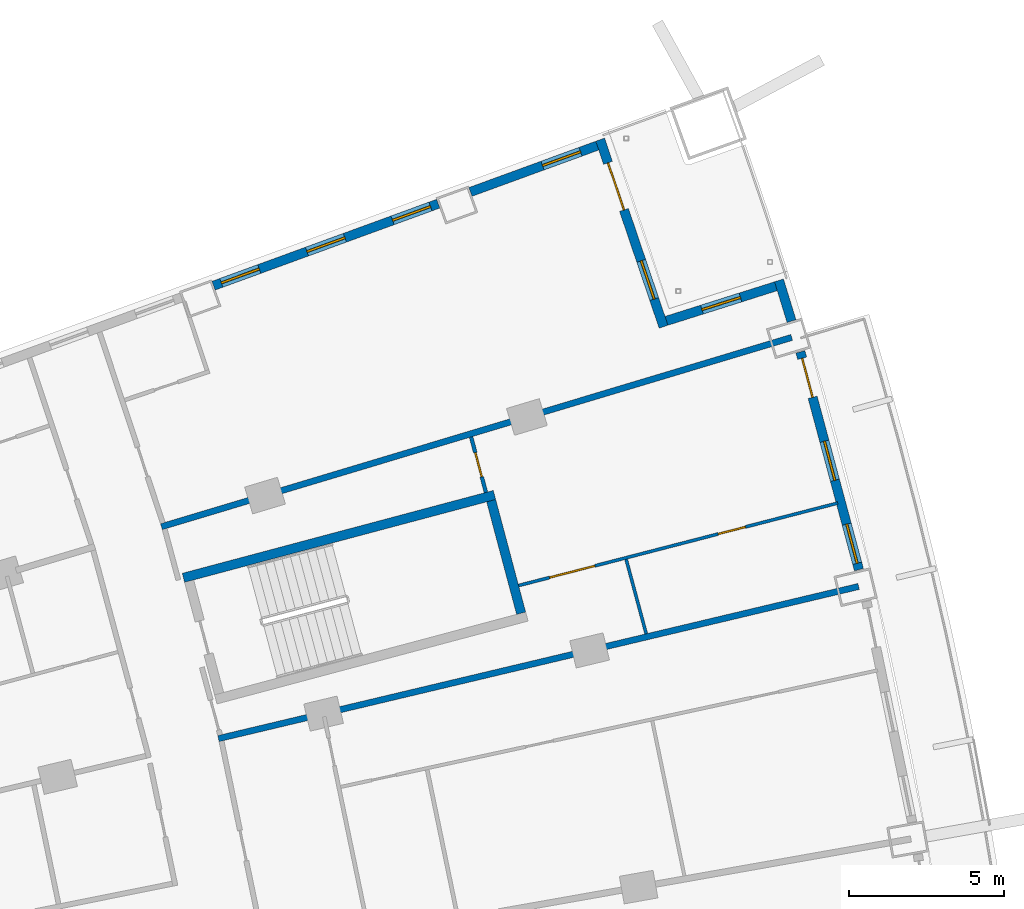
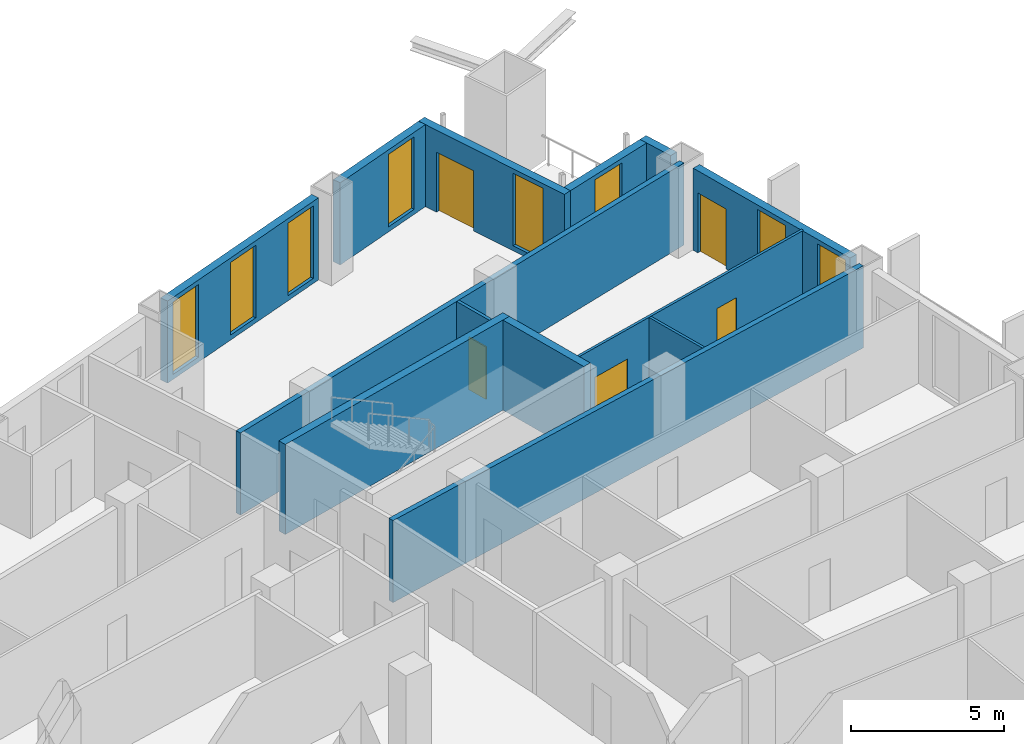
# One storey, part 19 of 23: 13 walls, 8 windows, 5 doors, 13 openings.
"""IFC4 building model written with IfcOpenShell, lengths in metres."""

import ifcopenshell
import ifcopenshell.guid

model = None  # the IFC model being written
_history = None  # IfcOwnerHistory: only IFC2X3 demands one
_inside = {}  # id of a spatial element -> (the spatial element, [elements in it])
_under = {}  # id of a project, library or spatial element -> (it, [spatial elements below it])
_declared = {}  # id of a project -> (the project, [libraries it declares])
_typed = {}  # id of a type object -> (the type object, [elements of that type])
_made_of = {}  # id of a material, layer set ... -> (it, [elements and type objects made of it])


def new_model(schema):
    """Start an empty IFC model of exactly this schema.

    Asked for "IFC4X3", IfcOpenShell would pick the latest addendum, in which some entities
    have other attributes; the version numbers below select the first issue.
    IFC2X3 requires an IfcOwnerHistory on every rooted entity: one is made here for all.
    """
    global model, _history
    if schema == "IFC4X3":
        model = ifcopenshell.file(schema_version=(4, 3, 0, 0))
    else:
        model = ifcopenshell.file(schema=schema)
    _inside.clear()
    _under.clear()
    _declared.clear()
    _typed.clear()
    _made_of.clear()
    _history = None
    if model.schema == "IFC2X3":
        org = make("IfcOrganization", Name="unknown")
        user = make(
            "IfcPersonAndOrganization",
            ThePerson=make("IfcPerson", FamilyName="unknown"),
            TheOrganization=org,
        )
        app = make(
            "IfcApplication",
            ApplicationDeveloper=org,
            Version="unknown",
            ApplicationFullName="unknown",
            ApplicationIdentifier="unknown",
        )
        _history = make(
            "IfcOwnerHistory",
            OwningUser=user,
            OwningApplication=app,
            ChangeAction="ADDED",
            CreationDate=0,
        )
    return model


def make(cls, **values):
    """One entity of the class cls with the attributes given. An attribute that is None is left unset."""
    return model.create_entity(
        cls, **{name: value for name, value in values.items() if value is not None}
    )


def rooted(cls, **values):
    """An entity with a GlobalId (a new one), such as an element, a storey or a relation."""
    return make(cls, GlobalId=ifcopenshell.guid.new(), OwnerHistory=_history, **values)


def si_unit(unit_type, name, prefix=None):
    """IfcSIUnit, for example si_unit("LENGTHUNIT", "METRE", prefix="MILLI")."""
    return make("IfcSIUnit", UnitType=unit_type, Prefix=prefix, Name=name)


def assignment(units):
    """IfcUnitAssignment: the units of a project."""
    return None if units is None else make("IfcUnitAssignment", Units=units)


def point(xyz):
    """IfcCartesianPoint."""
    return None if xyz is None else make("IfcCartesianPoint", Coordinates=xyz)


def direction(xyz):
    """IfcDirection."""
    return None if xyz is None else make("IfcDirection", DirectionRatios=xyz)


def frame(location, z_axis=None, x_axis=None):
    """IfcAxis2Placement3D, a coordinate frame: its origin and axes. An axis left out is left unset."""
    return make(
        "IfcAxis2Placement3D",
        Location=point(location),
        Axis=direction(z_axis),
        RefDirection=direction(x_axis),
    )


def frame_2d(location, x_axis=None):
    """IfcAxis2Placement2D, a coordinate frame in the plane: its origin and x axis."""
    return make(
        "IfcAxis2Placement2D", Location=point(location), RefDirection=direction(x_axis)
    )


def origin():
    """The frame at (0, 0, 0) with its axes left unset."""
    return frame((0.0, 0.0, 0.0))


def place(relative_to, where):
    """IfcLocalPlacement: puts the frame where relative to a parent placement (None: the world)."""
    return make(
        "IfcLocalPlacement", PlacementRelTo=relative_to, RelativePlacement=where
    )


def context(
    kind, dimensions, precision=None, world=None, true_north=None, identifier=None
):
    """IfcGeometricRepresentationContext, for example the 3D "Model" context."""
    return make(
        "IfcGeometricRepresentationContext",
        ContextIdentifier=identifier,
        ContextType=kind,
        CoordinateSpaceDimension=dimensions,
        Precision=precision,
        WorldCoordinateSystem=world,
        TrueNorth=true_north,
    )


def subcontext(parent, identifier, kind, view, scale=None):
    """IfcGeometricRepresentationSubContext, for example "Body" below "Model"."""
    return make(
        "IfcGeometricRepresentationSubContext",
        ContextIdentifier=identifier,
        ContextType=kind,
        ParentContext=parent,
        TargetScale=scale,
        TargetView=view,
    )


def project(units=None, contexts=None):
    """IfcProject with its units and contexts."""
    return rooted(
        "IfcProject",
        Name="project",
        RepresentationContexts=contexts,
        UnitsInContext=assignment(units),
    )


def spatial(cls, under=None, at=None, **own):
    """A site, building, storey or space (cls), placed at a placement, below another one or the project."""
    s = rooted(cls, ObjectPlacement=at, **own)
    if under is not None:
        _under.setdefault(under.id(), (under, []))[1].append(s)
    return s


def profile(cls, at=None, kind="AREA", **sizes):
    """A parametric profile (cls). Its sizes go by their IFC names, for example OverallWidth=200.0."""
    return make(cls, ProfileType=kind, Position=at, **sizes)


def rectangle(**sizes):
    """IfcRectangleProfileDef."""
    return profile("IfcRectangleProfileDef", **sizes)


def extrude(swept, where, along, depth):
    """IfcExtrudedAreaSolid: the profile swept, set in the frame where, extruded along a direction by depth."""
    return make(
        "IfcExtrudedAreaSolid",
        SweptArea=swept,
        Position=where,
        ExtrudedDirection=direction(along),
        Depth=depth,
    )


def shape(context_of_items, identifier, shape_type, items):
    """IfcShapeRepresentation: the items that make up one representation, for example the "Body"."""
    return make(
        "IfcShapeRepresentation",
        ContextOfItems=context_of_items,
        RepresentationIdentifier=identifier,
        RepresentationType=shape_type,
        Items=items,
    )


def material(Name=None, Category=None):
    """IfcMaterial."""
    return make("IfcMaterial", Name=Name, Category=Category)


def layer(
    of_material, thickness, ventilated=None, Name=None, Category=None, Priority=None
):
    """IfcMaterialLayer: one layer of a wall or slab, of a material (None: an air gap)."""
    return make(
        "IfcMaterialLayer",
        Material=of_material,
        LayerThickness=thickness,
        IsVentilated=ventilated,
        Name=Name,
        Category=Category,
        Priority=Priority,
    )


def layer_set(layers, Name=None):
    """IfcMaterialLayerSet."""
    return make("IfcMaterialLayerSet", MaterialLayers=layers, LayerSetName=Name)


def made_of(thing, what):
    """Note that an element or type object is made of a material, layer set ...; save() writes the relation."""
    if what is not None:
        _made_of.setdefault(what.id(), (what, []))[1].append(thing)
    return thing


def type_object(cls, material=None, **own):
    """A type object (cls), such as IfcWallType, which elements share."""
    return made_of(rooted(cls, **own), material)


def element(
    cls,
    number,
    at=None,
    inside=None,
    cuts=None,
    type_object=None,
    material=None,
    context=None,
    identifier="Body",
    shape_type=None,
    held_by="IfcProductDefinitionShape",
    body=None,
    shapes=None,
    **own,
):
    """One element of the class cls, such as IfcWall. Its Tag is "e" and its number.

    at: its placement. inside: the storey or other place that contains it. cuts: it is an
    opening in that element (IfcRelVoidsElement). A single representation is given by context,
    identifier, shape_type and body (its items); several are given by shapes. held_by: the class
    of the entity that holds the representations. save() writes the other relations.
    """
    e = rooted(cls, Tag="e%d" % number, ObjectPlacement=at, **own)
    if body is not None:
        shapes = [shape(context, identifier, shape_type, body)]
    if shapes is not None:
        e.Representation = make(held_by, Representations=shapes)
    if inside is not None:
        _inside.setdefault(inside.id(), (inside, []))[1].append(e)
    if cuts is not None:
        rooted(
            "IfcRelVoidsElement", RelatingBuildingElement=cuts, RelatedOpeningElement=e
        )
    if type_object is not None:
        _typed.setdefault(type_object.id(), (type_object, []))[1].append(e)
    return made_of(e, material)


def fill(opening, filler):
    """IfcRelFillsElement: the door or window that sits in an opening."""
    return rooted(
        "IfcRelFillsElement",
        RelatingOpeningElement=opening,
        RelatedBuildingElement=filler,
    )


def aggregate(whole, parts):
    """IfcRelAggregates: a whole, such as a stair, and the parts it consists of."""
    return rooted("IfcRelAggregates", RelatingObject=whole, RelatedObjects=parts)


def save(model, path):
    """Write the relations noted so far, then the file.

    IfcRelAggregates (storeys below a building ...), IfcRelContainedInSpatialStructure (elements
    in a storey), IfcRelDefinesByType, IfcRelAssociatesMaterial and IfcRelDeclares: one each for
    every whole, place, type object, material and project.
    """
    for whole, parts in _under.values():
        aggregate(whole, parts)
    for where, things in _inside.values():
        rooted(
            "IfcRelContainedInSpatialStructure",
            RelatedElements=things,
            RelatingStructure=where,
        )
    for kind, things in _typed.values():
        rooted("IfcRelDefinesByType", RelatedObjects=things, RelatingType=kind)
    for what, things in _made_of.values():
        rooted("IfcRelAssociatesMaterial", RelatedObjects=things, RelatingMaterial=what)
    for by, libraries in _declared.values():
        rooted("IfcRelDeclares", RelatingContext=by, RelatedDefinitions=libraries)
    model.write(path)


model = new_model("IFC4")

# Units and contexts
model_context = context("Model", 3, precision=1e-05, world=origin(), true_north=direction((0.0, 1.0)))
body_context = subcontext(model_context, "Body", "Model", "MODEL_VIEW")
ifc_project = project(units=[si_unit("LENGTHUNIT", "METRE"), si_unit("AREAUNIT", "SQUARE_METRE"), si_unit("VOLUMEUNIT", "CUBIC_METRE"), si_unit("PLANEANGLEUNIT", "RADIAN"), si_unit("MASSUNIT", "GRAM", prefix="KILO")], contexts=[model_context])

# Site, building, storey
site_placement = place(None, origin())
site = spatial("IfcSite", under=ifc_project, at=site_placement, CompositionType="ELEMENT")
building_placement = place(site_placement, origin())
building = spatial("IfcBuilding", under=site, at=building_placement, Name="Alderwake Tower", CompositionType="ELEMENT")
storey_placement = place(building_placement, frame((0.0, 0.0, 71.60009765625)))
storey = spatial("IfcBuildingStorey", under=building, at=storey_placement, Name="L17", CompositionType="ELEMENT", Elevation=71.60009765625)

# Walls
ifc_material_1 = material(Name="Concrete C70/85", Category="concrete")
ifc_layer_1 = layer(ifc_material_1, 0.300048828125)
ifc_layer_set_1 = layer_set([ifc_layer_1], Name="Core wall stair enclosure 300 C70-85")
wall_type_1 = type_object("IfcWallType", Name="Core wall stair enclosure 300 C70-85", PredefinedType="SHEAR", material=ifc_layer_set_1)
wall_1_placement = place(storey_placement, frame((36.71142578125, 94.182373046875, 0.0), z_axis=(0.0, 0.0, 1.0), x_axis=(0.966309214305, 0.257383958996, 0.0)))
element("IfcWall", 1, at=wall_1_placement, inside=storey, type_object=wall_type_1, Name="Core wall CW.082", PredefinedType="SHEAR", context=body_context, shape_type="SweptSolid", body=[
    extrude(rectangle(XDim=10.360107421875, YDim=0.300048828125, at=frame_2d((5.18017578125, 0.0))), origin(), (0.0, 0.0, 1.0), 3.599853515625),
])
wall_2_placement = place(storey_placement, frame((47.581298828125, 93.041748046875, 0.0), z_axis=(0.0, 0.0, 1.0), x_axis=(-0.257366821694, 0.966313778796, 0.0)))
element("IfcWall", 2, at=wall_2_placement, inside=storey, type_object=wall_type_1, Name="Core wall CW.081", PredefinedType="SHEAR", context=body_context, shape_type="SweptSolid", body=[
    extrude(rectangle(XDim=3.749755859375, YDim=0.300048828125, at=frame_2d((1.875, 0.0))), origin(), (0.0, 0.0, 1.0), 3.599853515625),
])

# Wall, openings, door, windows
ifc_material_2 = material(Name="Precast concrete C50/60 spandrel panel", Category="concrete")
ifc_layer_2 = layer(ifc_material_2, 0.300048828125)
ifc_layer_set_2 = layer_set([ifc_layer_2], Name="External wall EW1 Precast concrete C50/60 spandrel")
wall_type_2 = type_object("IfcWallType", Name="External wall EW1 Precast concrete C50/60 spandrel", PredefinedType="SOLIDWALL", material=ifc_layer_set_2)
wall_3_placement = place(storey_placement, frame((58.45361328125, 94.444091796875, 0.0), z_axis=(0.0, 0.0, 1.0), x_axis=(-0.259495836826, 0.96574422632, 0.0)))
wall_3 = element("IfcWall", 3, at=wall_3_placement, inside=storey, type_object=wall_type_2, Name="External wall 21", PredefinedType="SOLIDWALL", context=body_context, shape_type="SweptSolid", body=[
    extrude(rectangle(XDim=7.259521484375, YDim=0.300048828125, at=frame_2d((3.6298828125, 0.0))), origin(), (0.0, 0.0, 1.0), 3.27978515625),
])
opening_1_placement = place(wall_3_placement, frame((0.215087890625, 0.0, 0.199951171875)))
opening_1 = element("IfcOpeningElement", 4, at=opening_1_placement, cuts=wall_3, Name="Opening W1", PredefinedType="OPENING", context=body_context, shape_type="SweptSolid", body=[
    extrude(rectangle(XDim=1.300048828125, YDim=2.89990234375, at=frame_2d((0.64990234375, 1.449951171875))), frame((0.0, 0.159912109375, 0.0), z_axis=(0.0, -1.0, 0.0), x_axis=(1.0, 0.0, 0.0)), (0.0, 0.0, 1.0), 0.320068359375),
])
opening_2_placement = place(wall_3_placement, frame((2.979736328125, 0.0, 0.199951171875)))
opening_2 = element("IfcOpeningElement", 5, at=opening_2_placement, cuts=wall_3, Name="Opening W1", PredefinedType="OPENING", context=body_context, shape_type="SweptSolid", body=[
    extrude(rectangle(XDim=1.300048828125, YDim=2.89990234375, at=frame_2d((0.64990234375, 1.449951171875))), frame((0.0, 0.159912109375, 0.0), z_axis=(0.0, -1.0, 0.0), x_axis=(1.0, 0.0, 0.0)), (0.0, 0.0, 1.0), 0.320068359375),
])
opening_3_placement = place(wall_3_placement, frame((5.744384765625, 0.0, 0.0)))
opening_3 = element("IfcOpeningElement", 6, at=opening_3_placement, cuts=wall_3, Name="Opening D12", PredefinedType="OPENING", context=body_context, shape_type="SweptSolid", body=[
    extrude(rectangle(XDim=1.300048828125, YDim=2.39990234375, at=frame_2d((0.64990234375, 1.199951171875))), frame((0.0, 0.159912109375, 0.0), z_axis=(0.0, -1.0, 0.0), x_axis=(1.0, 0.0, 0.0)), (0.0, 0.0, 1.0), 0.320068359375),
])
ifc_material_3 = material(Name="Bronze tinted glass in aluminium frame", Category="aluminium")
door_type_1 = type_object("IfcDoorType", Name="Balcony door BD sliding", OperationType="SLIDING_TO_LEFT", PredefinedType="DOOR", material=ifc_material_3)
door_1_placement = place(opening_3_placement, origin())
door_1 = element("IfcDoor", 7, at=door_1_placement, inside=storey, type_object=door_type_1, Name="Door D12", OperationType="SLIDING_TO_LEFT", OverallHeight=2.39990234375, OverallWidth=1.300048828125, PredefinedType="DOOR", context=body_context, shape_type="SweptSolid", body=[
    extrude(rectangle(XDim=1.300048828125, YDim=2.39990234375, at=frame_2d((0.64990234375, 1.199951171875))), frame((0.0, 0.02490234375, 0.0), z_axis=(0.0, -1.0, 0.0), x_axis=(1.0, 0.0, 0.0)), (0.0, 0.0, 1.0), 0.050048828125),
])
fill(opening_3, door_1)
ifc_material_4 = material(Name="Bronze tinted glass in aluminium frame", Category="aluminium")
window_type = type_object("IfcWindowType", Name="Window W1 tall fixed and vent", PartitioningType="DOUBLE_PANEL_VERTICAL", PredefinedType="WINDOW", material=ifc_material_4)
window_1_placement = place(opening_1_placement, origin())
window_1 = element("IfcWindow", 8, at=window_1_placement, inside=storey, type_object=window_type, Name="Window W1 tall fixed and vent", OverallHeight=2.89990234375, OverallWidth=1.300048828125, PartitioningType="DOUBLE_PANEL_VERTICAL", PredefinedType="WINDOW", context=body_context, shape_type="SweptSolid", body=[
    extrude(rectangle(XDim=1.300048828125, YDim=2.89990234375, at=frame_2d((0.64990234375, 1.449951171875))), frame((0.0, 0.030029296875, 0.0), z_axis=(0.0, -1.0, 0.0), x_axis=(1.0, 0.0, 0.0)), (0.0, 0.0, 1.0), 0.06005859375),
])
fill(opening_1, window_1)
window_2_placement = place(opening_2_placement, origin())
window_2 = element("IfcWindow", 9, at=window_2_placement, inside=storey, type_object=window_type, Name="Window W1 tall fixed and vent", OverallHeight=2.89990234375, OverallWidth=1.300048828125, PartitioningType="DOUBLE_PANEL_VERTICAL", PredefinedType="WINDOW", context=body_context, shape_type="SweptSolid", body=[
    extrude(rectangle(XDim=1.300048828125, YDim=2.89990234375, at=frame_2d((0.64990234375, 1.449951171875))), frame((0.0, 0.030029296875, 0.0), z_axis=(0.0, -1.0, 0.0), x_axis=(1.0, 0.0, 0.0)), (0.0, 0.0, 1.0), 0.06005859375),
])
fill(opening_2, window_2)

# Wall
wall_4_placement = place(storey_placement, frame((56.28466796875, 102.445068359375, 0.0), z_axis=(0.0, 0.0, 1.0), x_axis=(-0.294511238731, 0.955648015883, 0.0)))
element("IfcWall", 10, at=wall_4_placement, inside=storey, type_object=wall_type_2, Name="External wall 22", PredefinedType="SOLIDWALL", context=body_context, shape_type="SweptSolid", body=[
    extrude(rectangle(XDim=1.37109375, YDim=0.300048828125, at=frame_2d((0.685546875, 0.0))), origin(), (0.0, 0.0, 1.0), 3.27978515625),
])

# Wall, opening, window
ifc_material_5 = material(Name="Bronze metal cladding on lightweight framing")
ifc_layer_3 = layer(ifc_material_5, 0.300048828125)
ifc_layer_set_3 = layer_set([ifc_layer_3], Name="External wall EW2 bronze metal cladding")
wall_type_3 = type_object("IfcWallType", Name="External wall EW2 bronze metal cladding", PredefinedType="SOLIDWALL", material=ifc_layer_set_3)
wall_5_placement = place(storey_placement, frame((55.781982421875, 103.56689453125, 0.0), z_axis=(0.0, 0.0, 1.0), x_axis=(-0.953472737628, -0.301479250697, 0.0)))
wall_5 = element("IfcWall", 11, at=wall_5_placement, inside=storey, type_object=wall_type_3, Name="External wall 23", PredefinedType="SOLIDWALL", context=body_context, shape_type="SweptSolid", body=[
    extrude(rectangle(XDim=3.6943359375, YDim=0.300048828125, at=frame_2d((1.84716796875, 0.0))), origin(), (0.0, 0.0, 1.0), 3.27978515625),
])
opening_4_placement = place(wall_5_placement, frame((1.197021484375, 0.0, 0.199951171875)))
opening_4 = element("IfcOpeningElement", 12, at=opening_4_placement, cuts=wall_5, Name="Opening W1", PredefinedType="OPENING", context=body_context, shape_type="SweptSolid", body=[
    extrude(rectangle(XDim=1.300048828125, YDim=2.89990234375, at=frame_2d((0.64990234375, 1.449951171875))), frame((0.0, 0.159912109375, 0.0), z_axis=(0.0, -1.0, 0.0), x_axis=(1.0, 0.0, 0.0)), (0.0, 0.0, 1.0), 0.320068359375),
])
window_3_placement = place(opening_4_placement, origin())
window_3 = element("IfcWindow", 13, at=window_3_placement, inside=storey, type_object=window_type, Name="Window W1 tall fixed and vent", OverallHeight=2.89990234375, OverallWidth=1.300048828125, PartitioningType="DOUBLE_PANEL_VERTICAL", PredefinedType="WINDOW", context=body_context, shape_type="SweptSolid", body=[
    extrude(rectangle(XDim=1.300048828125, YDim=2.89990234375, at=frame_2d((0.64990234375, 1.449951171875))), frame((0.0, 0.030029296875, 0.0), z_axis=(0.0, -1.0, 0.0), x_axis=(1.0, 0.0, 0.0)), (0.0, 0.0, 1.0), 0.06005859375),
])
fill(opening_4, window_3)

# Wall, openings, door, window
wall_6_placement = place(storey_placement, frame((52.164794921875, 102.265869140625, 0.0), z_axis=(0.0, 0.0, 1.0), x_axis=(-0.320924841055, 0.947104664962, 0.0)))
wall_6 = element("IfcWall", 14, at=wall_6_placement, inside=storey, type_object=wall_type_3, Name="External wall 24", PredefinedType="SOLIDWALL", context=body_context, shape_type="SweptSolid", body=[
    extrude(rectangle(XDim=6.356689453125, YDim=0.300048828125, at=frame_2d((3.17822265625, 0.0))), origin(), (0.0, 0.0, 1.0), 3.27978515625),
])
opening_5_placement = place(wall_6_placement, frame((0.939208984375, 0.0, 0.199951171875)))
opening_5 = element("IfcOpeningElement", 15, at=opening_5_placement, cuts=wall_6, Name="Opening W1", PredefinedType="OPENING", context=body_context, shape_type="SweptSolid", body=[
    extrude(rectangle(XDim=1.300048828125, YDim=2.89990234375, at=frame_2d((0.64990234375, 1.449951171875))), frame((0.0, 0.159912109375, 0.0), z_axis=(0.0, -1.0, 0.0), x_axis=(1.0, 0.0, 0.0)), (0.0, 0.0, 1.0), 0.320068359375),
])
opening_6_placement = place(wall_6_placement, frame((3.967529296875, 0.0, 0.0)))
opening_6 = element("IfcOpeningElement", 16, at=opening_6_placement, cuts=wall_6, Name="Opening D13", PredefinedType="OPENING", context=body_context, shape_type="SweptSolid", body=[
    extrude(rectangle(XDim=1.60009765625, YDim=2.39990234375, at=frame_2d((0.800048828125, 1.199951171875))), frame((0.0, 0.159912109375, 0.0), z_axis=(0.0, -1.0, 0.0), x_axis=(1.0, 0.0, 0.0)), (0.0, 0.0, 1.0), 0.320068359375),
])
ifc_material_6 = material(Name="Bronze tinted glass in aluminium frame", Category="aluminium")
door_type_2 = type_object("IfcDoorType", Name="Terrace door TD sliding", OperationType="SLIDING_TO_LEFT", PredefinedType="DOOR", material=ifc_material_6)
door_2_placement = place(opening_6_placement, origin())
door_2 = element("IfcDoor", 17, at=door_2_placement, inside=storey, type_object=door_type_2, Name="Door D13", OperationType="SLIDING_TO_LEFT", OverallHeight=2.39990234375, OverallWidth=1.60009765625, PredefinedType="DOOR", context=body_context, shape_type="SweptSolid", body=[
    extrude(rectangle(XDim=1.60009765625, YDim=2.39990234375, at=frame_2d((0.800048828125, 1.199951171875))), frame((0.0, 0.02490234375, 0.0), z_axis=(0.0, -1.0, 0.0), x_axis=(1.0, 0.0, 0.0)), (0.0, 0.0, 1.0), 0.050048828125),
])
fill(opening_6, door_2)
window_4_placement = place(opening_5_placement, origin())
window_4 = element("IfcWindow", 18, at=window_4_placement, inside=storey, type_object=window_type, Name="Window W1 tall fixed and vent", OverallHeight=2.89990234375, OverallWidth=1.300048828125, PartitioningType="DOUBLE_PANEL_VERTICAL", PredefinedType="WINDOW", context=body_context, shape_type="SweptSolid", body=[
    extrude(rectangle(XDim=1.300048828125, YDim=2.89990234375, at=frame_2d((0.64990234375, 1.449951171875))), frame((0.0, 0.030029296875, 0.0), z_axis=(0.0, -1.0, 0.0), x_axis=(1.0, 0.0, 0.0)), (0.0, 0.0, 1.0), 0.06005859375),
])
fill(opening_5, window_4)

# Wall, opening, window
wall_7_placement = place(storey_placement, frame((50.031982421875, 108.0927734375, 0.0), z_axis=(0.0, 0.0, 1.0), x_axis=(-0.939366224685, -0.342915581333, 0.0)))
wall_7 = element("IfcWall", 19, at=wall_7_placement, inside=storey, type_object=wall_type_3, Name="External wall 25", PredefinedType="SOLIDWALL", context=body_context, shape_type="SweptSolid", body=[
    extrude(rectangle(XDim=4.345703125, YDim=0.300048828125, at=frame_2d((2.1728515625, 0.0))), origin(), (0.0, 0.0, 1.0), 3.27978515625),
])
opening_7_placement = place(wall_7_placement, frame((0.574462890625, 0.0, 0.199951171875)))
opening_7 = element("IfcOpeningElement", 20, at=opening_7_placement, cuts=wall_7, Name="Opening W1", PredefinedType="OPENING", context=body_context, shape_type="SweptSolid", body=[
    extrude(rectangle(XDim=1.300048828125, YDim=2.89990234375, at=frame_2d((0.64990234375, 1.449951171875))), frame((0.0, 0.159912109375, 0.0), z_axis=(0.0, -1.0, 0.0), x_axis=(1.0, 0.0, 0.0)), (0.0, 0.0, 1.0), 0.320068359375),
])
window_5_placement = place(opening_7_placement, origin())
window_5 = element("IfcWindow", 21, at=window_5_placement, inside=storey, type_object=window_type, Name="Window W1 tall fixed and vent", OverallHeight=2.89990234375, OverallWidth=1.300048828125, PartitioningType="DOUBLE_PANEL_VERTICAL", PredefinedType="WINDOW", context=body_context, shape_type="SweptSolid", body=[
    extrude(rectangle(XDim=1.300048828125, YDim=2.89990234375, at=frame_2d((0.64990234375, 1.449951171875))), frame((0.0, 0.030029296875, 0.0), z_axis=(0.0, -1.0, 0.0), x_axis=(1.0, 0.0, 0.0)), (0.0, 0.0, 1.0), 0.06005859375),
])
fill(opening_7, window_5)

# Wall, openings, windows
wall_8_placement = place(storey_placement, frame((44.91259765625, 106.22412109375, 0.0), z_axis=(0.0, 0.0, 1.0), x_axis=(-0.939374999544, -0.342891542958, 0.0)))
wall_8 = element("IfcWall", 22, at=wall_8_placement, inside=storey, type_object=wall_type_3, Name="External wall 26", PredefinedType="SOLIDWALL", context=body_context, shape_type="SweptSolid", body=[
    extrude(rectangle(XDim=7.696044921875, YDim=0.300048828125, at=frame_2d((3.84814453125, 0.0))), origin(), (0.0, 0.0, 1.0), 3.27978515625),
])
opening_8_placement = place(wall_8_placement, frame((0.2646484375, 0.0, 0.199951171875)))
opening_8 = element("IfcOpeningElement", 23, at=opening_8_placement, cuts=wall_8, Name="Opening W1", PredefinedType="OPENING", context=body_context, shape_type="SweptSolid", body=[
    extrude(rectangle(XDim=1.300048828125, YDim=2.89990234375, at=frame_2d((0.64990234375, 1.449951171875))), frame((0.0, 0.159912109375, 0.0), z_axis=(0.0, -1.0, 0.0), x_axis=(1.0, 0.0, 0.0)), (0.0, 0.0, 1.0), 0.320068359375),
])
opening_9_placement = place(wall_8_placement, frame((3.197998046875, 0.0, 0.199951171875)))
opening_9 = element("IfcOpeningElement", 24, at=opening_9_placement, cuts=wall_8, Name="Opening W1", PredefinedType="OPENING", context=body_context, shape_type="SweptSolid", body=[
    extrude(rectangle(XDim=1.300048828125, YDim=2.89990234375, at=frame_2d((0.64990234375, 1.449951171875))), frame((0.0, 0.159912109375, 0.0), z_axis=(0.0, -1.0, 0.0), x_axis=(1.0, 0.0, 0.0)), (0.0, 0.0, 1.0), 0.320068359375),
])
opening_10_placement = place(wall_8_placement, frame((6.13134765625, 0.0, 0.199951171875)))
opening_10 = element("IfcOpeningElement", 25, at=opening_10_placement, cuts=wall_8, Name="Opening W1", PredefinedType="OPENING", context=body_context, shape_type="SweptSolid", body=[
    extrude(rectangle(XDim=1.300048828125, YDim=2.89990234375, at=frame_2d((0.64990234375, 1.449951171875))), frame((0.0, 0.159912109375, 0.0), z_axis=(0.0, -1.0, 0.0), x_axis=(1.0, 0.0, 0.0)), (0.0, 0.0, 1.0), 0.320068359375),
])
window_6_placement = place(opening_8_placement, origin())
window_6 = element("IfcWindow", 26, at=window_6_placement, inside=storey, type_object=window_type, Name="Window W1 tall fixed and vent", OverallHeight=2.89990234375, OverallWidth=1.300048828125, PartitioningType="DOUBLE_PANEL_VERTICAL", PredefinedType="WINDOW", context=body_context, shape_type="SweptSolid", body=[
    extrude(rectangle(XDim=1.300048828125, YDim=2.89990234375, at=frame_2d((0.64990234375, 1.449951171875))), frame((0.0, 0.030029296875, 0.0), z_axis=(0.0, -1.0, 0.0), x_axis=(1.0, 0.0, 0.0)), (0.0, 0.0, 1.0), 0.06005859375),
])
fill(opening_8, window_6)
window_7_placement = place(opening_9_placement, origin())
window_7 = element("IfcWindow", 27, at=window_7_placement, inside=storey, type_object=window_type, Name="Window W1 tall fixed and vent", OverallHeight=2.89990234375, OverallWidth=1.300048828125, PartitioningType="DOUBLE_PANEL_VERTICAL", PredefinedType="WINDOW", context=body_context, shape_type="SweptSolid", body=[
    extrude(rectangle(XDim=1.300048828125, YDim=2.89990234375, at=frame_2d((0.64990234375, 1.449951171875))), frame((0.0, 0.030029296875, 0.0), z_axis=(0.0, -1.0, 0.0), x_axis=(1.0, 0.0, 0.0)), (0.0, 0.0, 1.0), 0.06005859375),
])
fill(opening_9, window_7)
window_8_placement = place(opening_10_placement, origin())
window_8 = element("IfcWindow", 28, at=window_8_placement, inside=storey, type_object=window_type, Name="Window W1 tall fixed and vent", OverallHeight=2.89990234375, OverallWidth=1.300048828125, PartitioningType="DOUBLE_PANEL_VERTICAL", PredefinedType="WINDOW", context=body_context, shape_type="SweptSolid", body=[
    extrude(rectangle(XDim=1.300048828125, YDim=2.89990234375, at=frame_2d((0.64990234375, 1.449951171875))), frame((0.0, 0.030029296875, 0.0), z_axis=(0.0, -1.0, 0.0), x_axis=(1.0, 0.0, 0.0)), (0.0, 0.0, 1.0), 0.06005859375),
])
fill(opening_10, window_8)

# Walls
ifc_material_7 = material(Name="Dense block masonry wall", Category="masonry")
ifc_layer_4 = layer(ifc_material_7, 0.199951171875)
ifc_layer_set_4 = layer_set([ifc_layer_4], Name="Party wall 200")
wall_type_4 = type_object("IfcWallType", Name="Party wall 200", PredefinedType="SOLIDWALL", material=ifc_layer_set_4)
wall_9_placement = place(storey_placement, frame((37.839111328125, 89.006591796875, 0.0), z_axis=(0.0, 0.0, 1.0), x_axis=(0.972904338918, 0.23120801741, 0.0)))
element("IfcWall", 29, at=wall_9_placement, inside=storey, type_object=wall_type_4, Name="WL/L17/W07", PredefinedType="SOLIDWALL", context=body_context, shape_type="SweptSolid", body=[
    extrude(rectangle(XDim=21.177734375, YDim=0.199951171875, at=frame_2d((10.5888671875, 0.0))), origin(), (0.0, 0.0, 1.0), 3.27978515625),
])
wall_10_placement = place(storey_placement, frame((56.2890625, 101.9189453125, 0.0), z_axis=(0.0, 0.0, 1.0), x_axis=(-0.95773994747, -0.287635521137, 0.0)))
element("IfcWall", 30, at=wall_10_placement, inside=storey, type_object=wall_type_4, Name="WL/L17/W09", PredefinedType="SOLIDWALL", context=body_context, shape_type="SweptSolid", body=[
    extrude(rectangle(XDim=21.1796875, YDim=0.199951171875, at=frame_2d((10.58984375, 0.0))), origin(), (0.0, 0.0, 1.0), 3.27978515625),
])

# Wall, openings, doors
ifc_material_8 = material(Name="Gypsum board on metal studs")
ifc_layer_5 = layer(ifc_material_8, 0.10009765625)
ifc_layer_set_5 = layer_set([ifc_layer_5], Name="Unit partition 100")
wall_type_5 = type_object("IfcWallType", Name="Unit partition 100", PredefinedType="PARTITIONING", material=ifc_layer_set_5)
wall_11_placement = place(storey_placement, frame((47.4990234375, 93.93310546875, 0.0), z_axis=(0.0, 0.0, 1.0), x_axis=(0.968204383507, 0.250160491999, 0.0)))
wall_11 = element("IfcWall", 31, at=wall_11_placement, inside=storey, type_object=wall_type_5, Name="WL/L17/W79", PredefinedType="PARTITIONING", context=body_context, shape_type="SweptSolid", body=[
    extrude(rectangle(XDim=10.6123046875, YDim=0.10009765625, at=frame_2d((5.30615234375, 0.0))), origin(), (0.0, 0.0, 1.0), 3.27978515625),
])
opening_11_placement = place(wall_11_placement, frame((1.03173828125, 0.0, 0.0)))
opening_11 = element("IfcOpeningElement", 32, at=opening_11_placement, cuts=wall_11, Name="Opening R04-U02.2", PredefinedType="OPENING", context=body_context, shape_type="SweptSolid", body=[
    extrude(rectangle(XDim=1.5, YDim=2.10009765625, at=frame_2d((0.75, 1.050048828125))), frame((0.0, 0.06005859375, 0.0), z_axis=(0.0, -1.0, 0.0), x_axis=(1.0, 0.0, 0.0)), (0.0, 0.0, 1.0), 0.1201171875),
])
opening_12_placement = place(wall_11_placement, frame((6.6376953125, 0.0, 0.0)))
opening_12 = element("IfcOpeningElement", 33, at=opening_12_placement, cuts=wall_11, Name="Opening R04-U02.3", PredefinedType="OPENING", context=body_context, shape_type="SweptSolid", body=[
    extrude(rectangle(XDim=0.89990234375, YDim=2.10009765625, at=frame_2d((0.449951171875, 1.050048828125))), frame((0.0, 0.06005859375, 0.0), z_axis=(0.0, -1.0, 0.0), x_axis=(1.0, 0.0, 0.0)), (0.0, 0.0, 1.0), 0.1201171875),
])
ifc_material_9 = material(Name="Painted timber leaves", Category="wood")
door_type_3 = type_object("IfcDoorType", Name="Double leaf door 1500", OperationType="DOUBLE_DOOR_SINGLE_SWING", PredefinedType="DOOR", material=ifc_material_9)
door_3_placement = place(opening_11_placement, origin())
door_3 = element("IfcDoor", 34, at=door_3_placement, inside=storey, type_object=door_type_3, Name="DR/L17/U02.2", OperationType="DOUBLE_DOOR_SINGLE_SWING", OverallHeight=2.10009765625, OverallWidth=1.5, PredefinedType="DOOR", context=body_context, shape_type="SweptSolid", body=[
    extrude(rectangle(XDim=1.5, YDim=2.10009765625, at=frame_2d((0.75, 1.050048828125))), frame((0.0, 0.02490234375, 0.0), z_axis=(0.0, -1.0, 0.0), x_axis=(1.0, 0.0, 0.0)), (0.0, 0.0, 1.0), 0.050048828125),
])
fill(opening_11, door_3)
ifc_material_10 = material(Name="Painted timber leaf", Category="wood")
door_type_4 = type_object("IfcDoorType", Name="Room door 900", OperationType="SINGLE_SWING_LEFT", PredefinedType="DOOR", material=ifc_material_10)
door_4_placement = place(opening_12_placement, origin())
door_4 = element("IfcDoor", 35, at=door_4_placement, inside=storey, type_object=door_type_4, Name="DR/L17/U02.3", OperationType="SINGLE_SWING_LEFT", OverallHeight=2.10009765625, OverallWidth=0.89990234375, PredefinedType="DOOR", context=body_context, shape_type="SweptSolid", body=[
    extrude(rectangle(XDim=0.89990234375, YDim=2.10009765625, at=frame_2d((0.449951171875, 1.050048828125))), frame((0.0, 0.02490234375, 0.0), z_axis=(0.0, -1.0, 0.0), x_axis=(1.0, 0.0, 0.0)), (0.0, 0.0, 1.0), 0.050048828125),
])
fill(opening_12, door_4)

# Wall
wall_12_placement = place(storey_placement, frame((51.60693359375, 92.379638671875, 0.0), z_axis=(0.0, 0.0, 1.0), x_axis=(-0.259952302089, 0.965621458253, 0.0)))
element("IfcWall", 36, at=wall_12_placement, inside=storey, type_object=wall_type_5, Name="WL/L17/W86", PredefinedType="PARTITIONING", context=body_context, shape_type="SweptSolid", body=[
    extrude(rectangle(XDim=2.481201171875, YDim=0.10009765625, at=frame_2d((1.24072265625, 0.0))), origin(), (0.0, 0.0, 1.0), 3.27978515625),
])

# Wall, opening, door
ifc_material_11 = material(Name="Moisture resistant gypsum board on metal studs")
ifc_layer_6 = layer(ifc_material_11, 0.1201171875)
ifc_layer_set_6 = layer_set([ifc_layer_6], Name="Wet room partition 120")
wall_type_6 = type_object("IfcWallType", Name="Wet room partition 120", PredefinedType="PARTITIONING", material=ifc_layer_set_6)
wall_13_placement = place(storey_placement, frame((46.448974609375, 96.929931640625, 0.0), z_axis=(0.0, 0.0, 1.0), x_axis=(-0.258764710752, 0.965940383497, 0.0)))
wall_13 = element("IfcWall", 37, at=wall_13_placement, inside=storey, type_object=wall_type_6, Name="WL/L17/W63", PredefinedType="PARTITIONING", context=body_context, shape_type="SweptSolid", body=[
    extrude(rectangle(XDim=1.847412109375, YDim=0.1201171875, at=frame_2d((0.923828125, 0.0))), origin(), (0.0, 0.0, 1.0), 3.27978515625),
])
opening_13_placement = place(wall_13_placement, frame((0.524169921875, 0.0, 0.0)))
opening_13 = element("IfcOpeningElement", 38, at=opening_13_placement, cuts=wall_13, Name="Opening R04-U02.4", PredefinedType="OPENING", context=body_context, shape_type="SweptSolid", body=[
    extrude(rectangle(XDim=0.800048828125, YDim=2.10009765625, at=frame_2d((0.39990234375, 1.050048828125))), frame((0.0, 0.070068359375, 0.0), z_axis=(0.0, -1.0, 0.0), x_axis=(1.0, 0.0, 0.0)), (0.0, 0.0, 1.0), 0.14013671875),
])
ifc_material_12 = material(Name="Painted timber leaf", Category="wood")
door_type_5 = type_object("IfcDoorType", Name="Bathroom door 800", OperationType="SINGLE_SWING_LEFT", PredefinedType="DOOR", material=ifc_material_12)
door_5_placement = place(opening_13_placement, origin())
door_5 = element("IfcDoor", 39, at=door_5_placement, inside=storey, type_object=door_type_5, Name="DR/L17/U02.4", OperationType="SINGLE_SWING_LEFT", OverallHeight=2.10009765625, OverallWidth=0.800048828125, PredefinedType="DOOR", context=body_context, shape_type="SweptSolid", body=[
    extrude(rectangle(XDim=0.800048828125, YDim=2.10009765625, at=frame_2d((0.39990234375, 1.050048828125))), frame((0.0, 0.02490234375, 0.0), z_axis=(0.0, -1.0, 0.0), x_axis=(1.0, 0.0, 0.0)), (0.0, 0.0, 1.0), 0.050048828125),
])
fill(opening_13, door_5)

save(model, "model.ifc")
